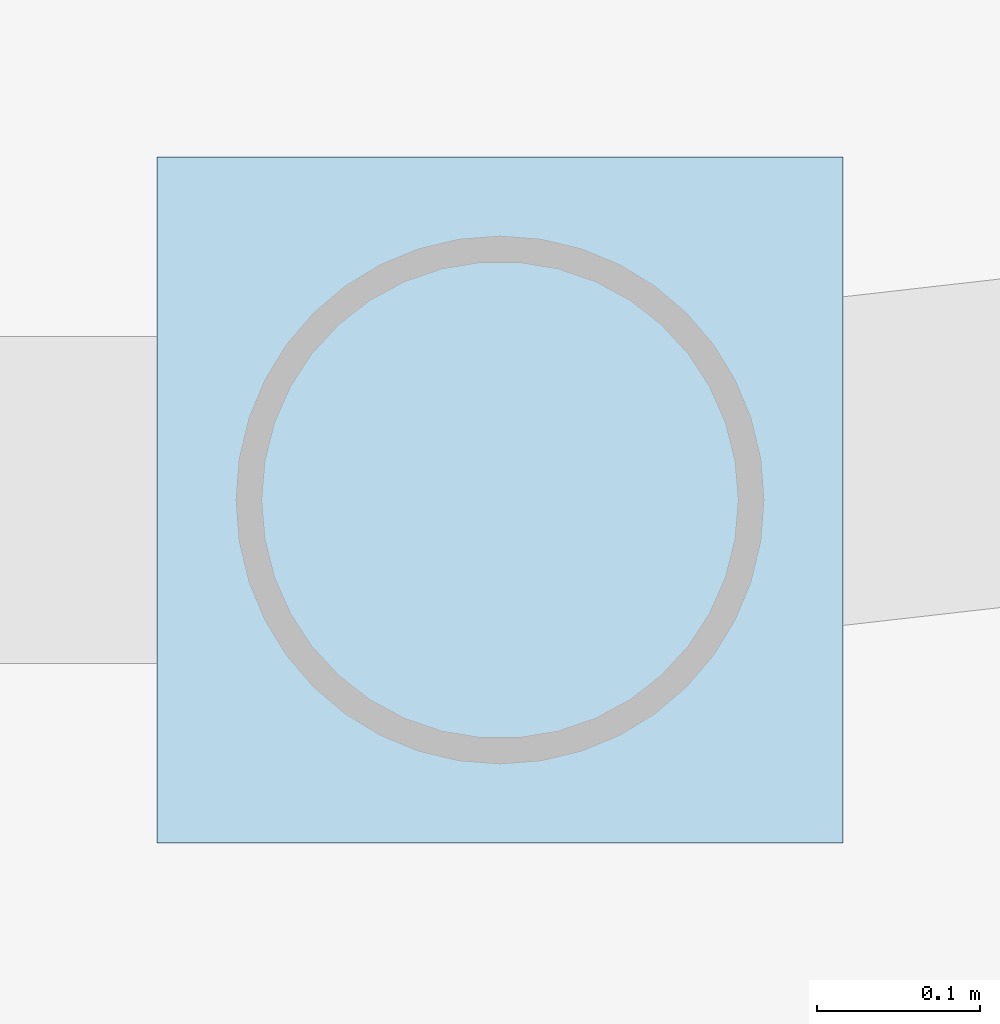
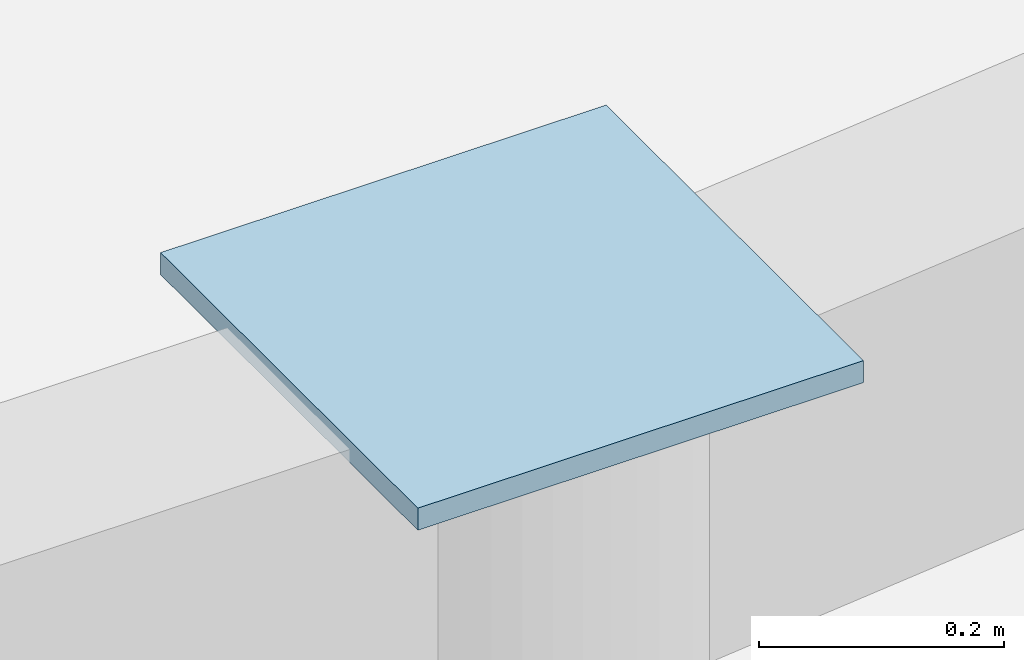
# One storey, part 88 of 120: 1 plate.
"""IFC4 building model written with IfcOpenShell, lengths in metres."""

from ifc_helpers import new_model, si_unit, direction, frame, origin, origin_2d, place, context, subcontext, project, spatial, rectangle, extrude, material, layer, layer_set, type_object, element, save


model = new_model("IFC4")

# Units and contexts
model_context = context("Model", 3, precision=1e-05, world=origin(), true_north=direction((0.0, 1.0)))
body_context = subcontext(model_context, "Body", "Model", "MODEL_VIEW")
ifc_project = project(units=[si_unit("LENGTHUNIT", "METRE"), si_unit("AREAUNIT", "SQUARE_METRE"), si_unit("VOLUMEUNIT", "CUBIC_METRE"), si_unit("PLANEANGLEUNIT", "RADIAN"), si_unit("MASSUNIT", "GRAM", prefix="KILO")], contexts=[model_context])

# Site, building, storey
site_placement = place(None, origin())
site = spatial("IfcSite", under=ifc_project, at=site_placement, CompositionType="ELEMENT")
building_placement = place(site_placement, origin())
building = spatial("IfcBuilding", under=site, at=building_placement, Name="Corveleigh Park Community Centre", CompositionType="ELEMENT")
storey_placement = place(building_placement, origin())
storey = spatial("IfcBuildingStorey", under=building, at=storey_placement, Name="L00", CompositionType="ELEMENT", Elevation=0.0)

# Plate
ifc_material = material(Name="Steel S355", Category="steel")
ifc_layer = layer(ifc_material, 0.02197265625, Name="Steel S355", Category="steel")
ifc_layer_set = layer_set([ifc_layer], Name="Steel S355")
plate_type = type_object("IfcPlateType", Name="PLT-CAP-22", PredefinedType="SHEET", material=ifc_layer_set)
plate_placement = place(storey_placement, frame((121.0, 72.800048828125, 4.56591796875), z_axis=(0.0, 0.0, 1.0), x_axis=(1.0, 0.0, 0.0)))
element("IfcPlate", 1, at=plate_placement, inside=storey, type_object=plate_type, Name="Column V5-N7 head cap plate", PredefinedType="SHEET", context=body_context, shape_type="SweptSolid", body=[
    extrude(rectangle(XDim=0.419921875, YDim=0.419921875, at=origin_2d()), origin(), (0.0, 0.0, 1.0), 0.02197265625),
])

save(model, "model.ifc")
